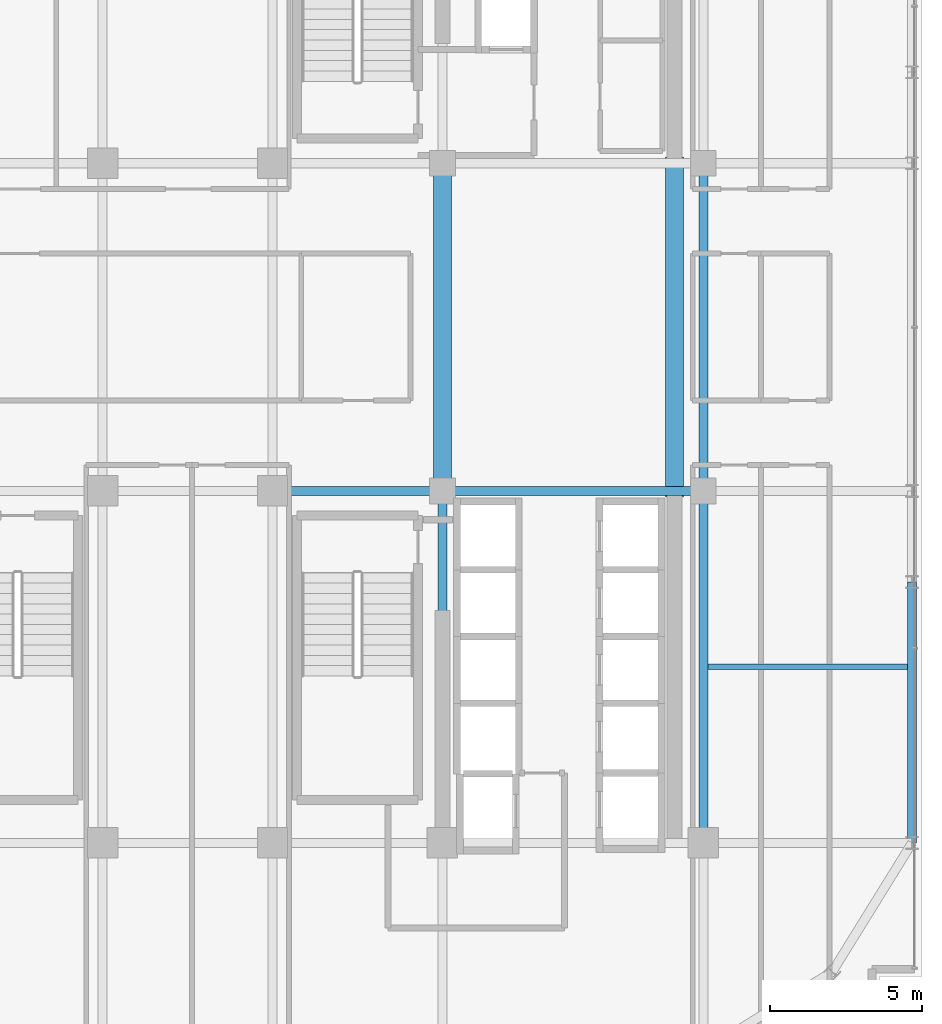
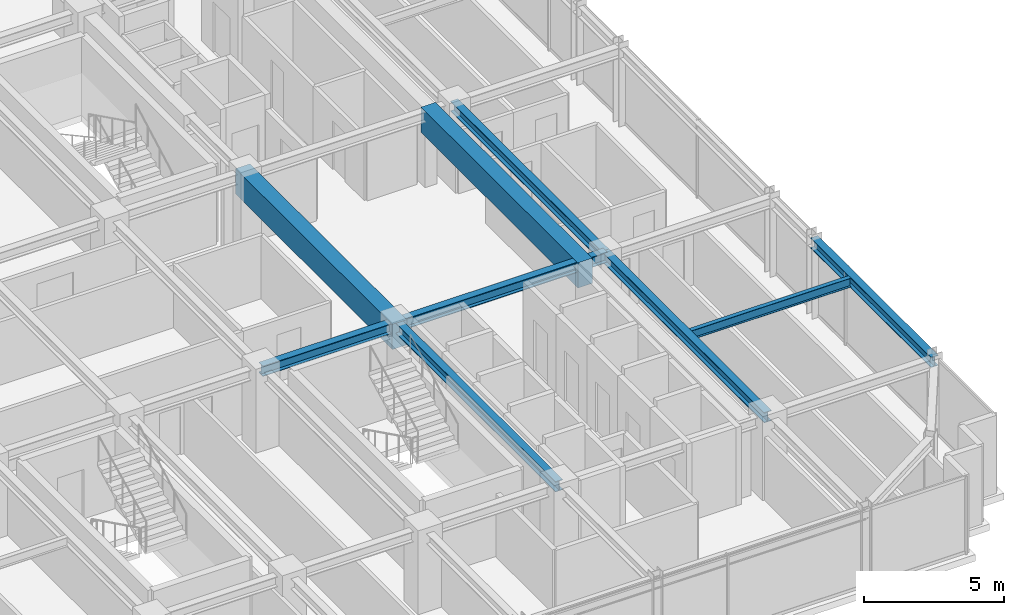
# One storey, part 15 of 35: 9 beams.
"""IFC4 building model written with IfcOpenShell, lengths in metres."""

from ifc_helpers import new_model, si_unit, direction, frame, origin, origin_2d, place, context, subcontext, project, spatial, rectangle, i_section, extrude, source, transform, mapped, material, material_profile, profile_set, type_object, element, save


model = new_model("IFC4")

# Units and contexts
model_context = context("Model", 3, precision=1e-05, world=origin(), true_north=direction((0.0, 1.0)))
body_context = subcontext(model_context, "Body", "Model", "MODEL_VIEW")
ifc_project = project(units=[si_unit("LENGTHUNIT", "METRE"), si_unit("AREAUNIT", "SQUARE_METRE"), si_unit("VOLUMEUNIT", "CUBIC_METRE"), si_unit("PLANEANGLEUNIT", "RADIAN"), si_unit("MASSUNIT", "GRAM", prefix="KILO")], contexts=[model_context])

# Site, building, storey
site_placement = place(None, origin())
site = spatial("IfcSite", under=ifc_project, at=site_placement, CompositionType="ELEMENT")
building_placement = place(site_placement, origin())
building = spatial("IfcBuilding", under=site, at=building_placement, Name="Nahalor Promenade Grand Hotel", CompositionType="ELEMENT")
storey_placement = place(building_placement, frame((0.0, 0.0, 245.60009765625)))
storey = spatial("IfcBuildingStorey", under=building, at=storey_placement, Name="L63", CompositionType="ELEMENT", Elevation=245.60009765625)

# Beams
ifc_material_1 = material(Name="Concrete B-60 (C50/60)", Category="concrete")
ifc_material_profile_1 = material_profile(ifc_material_1, rectangle(XDim=0.6, YDim=1.1, at=origin_2d()), Name="RC 600x1100")
ifc_profile_set_1 = profile_set([ifc_material_profile_1], Name="Concrete B-60 (C50/60)")
beam_type_1 = type_object("IfcBeamType", Name="Beam-Lintel-RC1100", PredefinedType="LINTEL", material=ifc_profile_set_1)
shared_shape_1 = source(origin(), body_context, "Body", "SweptSolid", [
    extrude(rectangle(XDim=0.6, YDim=1.1, at=origin_2d()), origin(), (0.0, 0.0, 1.0), 11.2001953125),
])
for number, where, z_axis, x_axis, name in (
    (1, (8.39990234375, -5.60009765625, 2.85986328125), (0.0, 1.0, 0.0), (-1.0, 0.0, 0.0), "BM-L63-LINT-W"),
    (2, (16.050048828125, -5.60009765625, 2.85986328125), (0.0, 1.0, 0.0), (-1.0, 0.0, 0.0), "BM-L63-LINT-E"),
):
    element("IfcBeam", number, at=place(storey_placement, frame(where, z_axis=z_axis, x_axis=x_axis)), inside=storey, type_object=beam_type_1, Name=name, PredefinedType="LINTEL", context=body_context, shape_type="MappedRepresentation", body=[
        mapped(shared_shape_1, transform((0.0, 0.0, 0.0), scale=1.0)),
    ])
ifc_material_2 = material(Name="Steel S355JR", Category="steel")
ifc_material_profile_2 = material_profile(ifc_material_2, i_section(OverallWidth=0.3, OverallDepth=0.45, WebThickness=0.014, FlangeThickness=0.026, at=origin_2d()), Name="HEB 450")
ifc_profile_set_2 = profile_set([ifc_material_profile_2], Name="Steel S355JR")
beam_type_2 = type_object("IfcBeamType", Name="Beam-Spandrel-HEB450", PredefinedType="SPANDREL", material=ifc_profile_set_2)
shared_shape_2 = source(origin(), body_context, "Body", "SweptSolid", [
    extrude(i_section(OverallWidth=0.3, OverallDepth=0.45, WebThickness=0.014, FlangeThickness=0.026, at=origin_2d()), origin(), (0.0, 0.0, 1.0), 8.60009765625),
])
beam_1_placement = place(storey_placement, frame((23.8798828125, -17.0, 3.184814453125), z_axis=(0.0, 1.0, 0.0), x_axis=(-1.0, 0.0, 0.0)))
element("IfcBeam", 3, at=beam_1_placement, inside=storey, type_object=beam_type_2, Name="BM-L63-SP-E-0", PredefinedType="SPANDREL", context=body_context, shape_type="MappedRepresentation", body=[
    mapped(shared_shape_2, transform((0.0, 0.0, 0.0), scale=1.0)),
])
ifc_material_profile_3 = material_profile(ifc_material_2, i_section(OverallWidth=0.3, OverallDepth=0.45, WebThickness=0.014, FlangeThickness=0.026, at=origin_2d()), Name="HEB 450")
ifc_profile_set_3 = profile_set([ifc_material_profile_3], Name="Steel S355JR")
beam_type_3 = type_object("IfcBeamType", Name="Beam-Girder-HEB450", PredefinedType="BEAM", material=ifc_profile_set_3)
shared_shape_3 = source(origin(), body_context, "Body", "SweptSolid", [
    extrude(i_section(OverallWidth=0.3, OverallDepth=0.45, WebThickness=0.014, FlangeThickness=0.026, at=origin_2d()), origin(), (0.0, 0.0, 1.0), 8.60009765625),
])
beam_2_placement = place(storey_placement, frame((8.39990234375, -5.39990234375, 3.184814453125), z_axis=(1.0, 0.0, 0.0), x_axis=(0.0, 1.0, 0.0)))
element("IfcBeam", 4, at=beam_2_placement, inside=storey, type_object=beam_type_3, Name="BM-L63-GX-1-5", PredefinedType="BEAM", context=body_context, shape_type="MappedRepresentation", body=[
    mapped(shared_shape_3, transform((0.0, 0.0, 0.0), scale=1.0)),
])
shared_shape_4 = source(origin(), body_context, "Body", "SweptSolid", [
    extrude(i_section(OverallWidth=0.3, OverallDepth=0.45, WebThickness=0.014, FlangeThickness=0.026, at=origin_2d()), origin(), (0.0, 0.0, 1.0), 5.599853515625),
])
beam_3_placement = place(storey_placement, frame((2.800048828125, -5.39990234375, 3.184814453125), z_axis=(1.0, 0.0, 0.0), x_axis=(0.0, 1.0, 0.0)))
element("IfcBeam", 5, at=beam_3_placement, inside=storey, type_object=beam_type_3, Name="BM-L63-GX-1-4", PredefinedType="BEAM", context=body_context, shape_type="MappedRepresentation", body=[
    mapped(shared_shape_4, transform((0.0, 0.0, 0.0), scale=1.0)),
])
shared_shape_5 = source(origin(), body_context, "Body", "SweptSolid", [
    extrude(i_section(OverallWidth=0.3, OverallDepth=0.45, WebThickness=0.014, FlangeThickness=0.026, at=origin_2d()), origin(), (0.0, 0.0, 1.0), 11.60009765625),
])
for number, where, z_axis, x_axis, name in (
    (6, (8.39990234375, -17.0, 3.184814453125), (0.0, 1.0, 0.0), (-1.0, 0.0, 0.0), "BM-L63-GY-4-1"),
    (7, (17.0, -17.0, 3.184814453125), (0.0, 1.0, 0.0), (-1.0, 0.0, 0.0), "BM-L63-GY-5-1"),
):
    element("IfcBeam", number, at=place(storey_placement, frame(where, z_axis=z_axis, x_axis=x_axis)), inside=storey, type_object=beam_type_3, Name=name, PredefinedType="BEAM", context=body_context, shape_type="MappedRepresentation", body=[
        mapped(shared_shape_5, transform((0.0, 0.0, 0.0), scale=1.0)),
    ])
shared_shape_6 = source(origin(), body_context, "Body", "SweptSolid", [
    extrude(i_section(OverallWidth=0.3, OverallDepth=0.45, WebThickness=0.014, FlangeThickness=0.026, at=origin_2d()), origin(), (0.0, 0.0, 1.0), 10.7998046875),
])
beam_4_placement = place(storey_placement, frame((17.0, -5.39990234375, 3.184814453125), z_axis=(0.0, 1.0, 0.0), x_axis=(-1.0, 0.0, 0.0)))
element("IfcBeam", 8, at=beam_4_placement, inside=storey, type_object=beam_type_3, Name="BM-L63-GY-5-2", PredefinedType="BEAM", context=body_context, shape_type="MappedRepresentation", body=[
    mapped(shared_shape_6, transform((0.0, 0.0, 0.0), scale=1.0)),
])
ifc_material_profile_4 = material_profile(ifc_material_2, i_section(OverallWidth=0.18, OverallDepth=0.4, WebThickness=0.0086, FlangeThickness=0.0135, at=origin_2d()), Name="IPE 400")
ifc_profile_set_4 = profile_set([ifc_material_profile_4], Name="Steel S355JR")
beam_type_4 = type_object("IfcBeamType", Name="Beam-Joist-IPE400", PredefinedType="JOIST", material=ifc_profile_set_4)
shared_shape_7 = source(origin(), body_context, "Body", "SweptSolid", [
    extrude(i_section(OverallWidth=0.18, OverallDepth=0.4, WebThickness=0.0086, FlangeThickness=0.0135, at=origin_2d()), origin(), (0.0, 0.0, 1.0), 6.580078125),
])
beam_5_placement = place(storey_placement, frame((17.14990234375, -11.199951171875, 3.2099609375), z_axis=(1.0, 0.0, 0.0), x_axis=(0.0, 1.0, 0.0)))
element("IfcBeam", 9, at=beam_5_placement, inside=storey, type_object=beam_type_4, Name="BM-L63-JSE-0-2", PredefinedType="JOIST", context=body_context, shape_type="MappedRepresentation", body=[
    mapped(shared_shape_7, transform((0.0, 0.0, 0.0), scale=1.0)),
])

save(model, "model.ifc")
